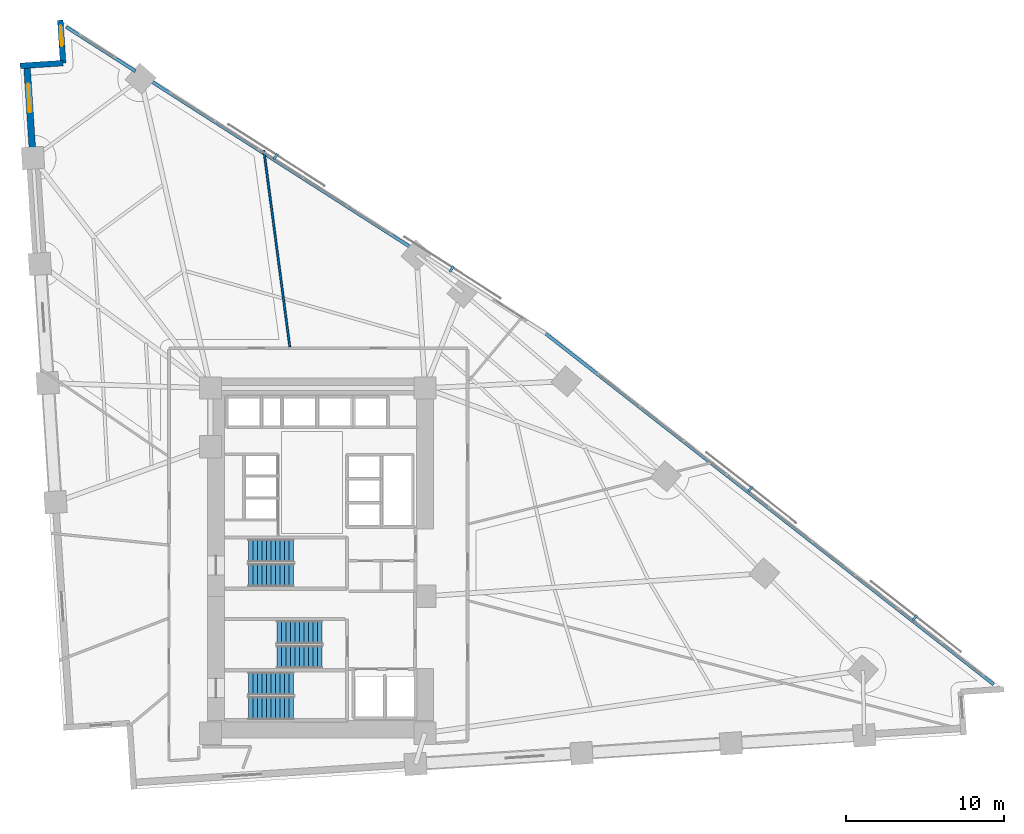
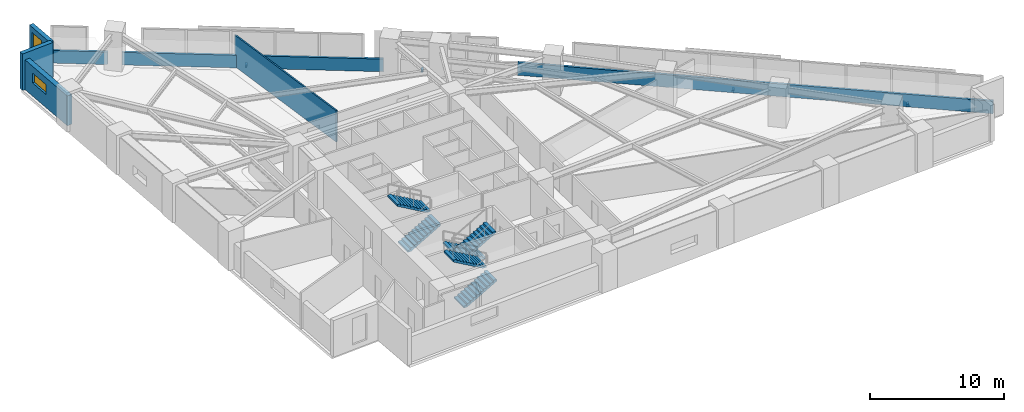
# One storey, part 14 of 16: 7 walls, 6 stair flights, 4 discrete accessories, 2 windows, 2 openings, 3 elements without a shape of their own.
"""IFC4 building model written with IfcOpenShell, lengths in metres."""

import ifcopenshell
import ifcopenshell.guid

model = None  # the IFC model being written
_history = None  # IfcOwnerHistory: only IFC2X3 demands one
_inside = {}  # id of a spatial element -> (the spatial element, [elements in it])
_under = {}  # id of a project, library or spatial element -> (it, [spatial elements below it])
_declared = {}  # id of a project -> (the project, [libraries it declares])
_typed = {}  # id of a type object -> (the type object, [elements of that type])
_made_of = {}  # id of a material, layer set ... -> (it, [elements and type objects made of it])


def new_model(schema):
    """Start an empty IFC model of exactly this schema.

    Asked for "IFC4X3", IfcOpenShell would pick the latest addendum, in which some entities
    have other attributes; the version numbers below select the first issue.
    IFC2X3 requires an IfcOwnerHistory on every rooted entity: one is made here for all.
    """
    global model, _history
    if schema == "IFC4X3":
        model = ifcopenshell.file(schema_version=(4, 3, 0, 0))
    else:
        model = ifcopenshell.file(schema=schema)
    _inside.clear()
    _under.clear()
    _declared.clear()
    _typed.clear()
    _made_of.clear()
    _history = None
    if model.schema == "IFC2X3":
        org = make("IfcOrganization", Name="unknown")
        user = make(
            "IfcPersonAndOrganization",
            ThePerson=make("IfcPerson", FamilyName="unknown"),
            TheOrganization=org,
        )
        app = make(
            "IfcApplication",
            ApplicationDeveloper=org,
            Version="unknown",
            ApplicationFullName="unknown",
            ApplicationIdentifier="unknown",
        )
        _history = make(
            "IfcOwnerHistory",
            OwningUser=user,
            OwningApplication=app,
            ChangeAction="ADDED",
            CreationDate=0,
        )
    return model


def make(cls, **values):
    """One entity of the class cls with the attributes given. An attribute that is None is left unset."""
    return model.create_entity(
        cls, **{name: value for name, value in values.items() if value is not None}
    )


def rooted(cls, **values):
    """An entity with a GlobalId (a new one), such as an element, a storey or a relation."""
    return make(cls, GlobalId=ifcopenshell.guid.new(), OwnerHistory=_history, **values)


def si_unit(unit_type, name, prefix=None):
    """IfcSIUnit, for example si_unit("LENGTHUNIT", "METRE", prefix="MILLI")."""
    return make("IfcSIUnit", UnitType=unit_type, Prefix=prefix, Name=name)


def assignment(units):
    """IfcUnitAssignment: the units of a project."""
    return None if units is None else make("IfcUnitAssignment", Units=units)


def point(xyz):
    """IfcCartesianPoint."""
    return None if xyz is None else make("IfcCartesianPoint", Coordinates=xyz)


def direction(xyz):
    """IfcDirection."""
    return None if xyz is None else make("IfcDirection", DirectionRatios=xyz)


def frame(location, z_axis=None, x_axis=None):
    """IfcAxis2Placement3D, a coordinate frame: its origin and axes. An axis left out is left unset."""
    return make(
        "IfcAxis2Placement3D",
        Location=point(location),
        Axis=direction(z_axis),
        RefDirection=direction(x_axis),
    )


def frame_2d(location, x_axis=None):
    """IfcAxis2Placement2D, a coordinate frame in the plane: its origin and x axis."""
    return make(
        "IfcAxis2Placement2D", Location=point(location), RefDirection=direction(x_axis)
    )


def origin():
    """The frame at (0, 0, 0) with its axes left unset."""
    return frame((0.0, 0.0, 0.0))


def origin_2d():
    """The frame at (0, 0) in the plane with its x axis left unset."""
    return frame_2d((0.0, 0.0))


def place(relative_to, where):
    """IfcLocalPlacement: puts the frame where relative to a parent placement (None: the world)."""
    return make(
        "IfcLocalPlacement", PlacementRelTo=relative_to, RelativePlacement=where
    )


def context(
    kind, dimensions, precision=None, world=None, true_north=None, identifier=None
):
    """IfcGeometricRepresentationContext, for example the 3D "Model" context."""
    return make(
        "IfcGeometricRepresentationContext",
        ContextIdentifier=identifier,
        ContextType=kind,
        CoordinateSpaceDimension=dimensions,
        Precision=precision,
        WorldCoordinateSystem=world,
        TrueNorth=true_north,
    )


def subcontext(parent, identifier, kind, view, scale=None):
    """IfcGeometricRepresentationSubContext, for example "Body" below "Model"."""
    return make(
        "IfcGeometricRepresentationSubContext",
        ContextIdentifier=identifier,
        ContextType=kind,
        ParentContext=parent,
        TargetScale=scale,
        TargetView=view,
    )


def project(units=None, contexts=None):
    """IfcProject with its units and contexts."""
    return rooted(
        "IfcProject",
        Name="project",
        RepresentationContexts=contexts,
        UnitsInContext=assignment(units),
    )


def spatial(cls, under=None, at=None, **own):
    """A site, building, storey or space (cls), placed at a placement, below another one or the project."""
    s = rooted(cls, ObjectPlacement=at, **own)
    if under is not None:
        _under.setdefault(under.id(), (under, []))[1].append(s)
    return s


def polyline(points):
    """IfcPolyline through the points."""
    return make("IfcPolyline", Points=[point(p) for p in points])


def profile(cls, at=None, kind="AREA", **sizes):
    """A parametric profile (cls). Its sizes go by their IFC names, for example OverallWidth=200.0."""
    return make(cls, ProfileType=kind, Position=at, **sizes)


def rectangle(**sizes):
    """IfcRectangleProfileDef."""
    return profile("IfcRectangleProfileDef", **sizes)


def outline(outer, holes=None, kind="AREA"):
    """IfcArbitraryClosedProfileDef: a profile drawn as a closed curve; with holes, ...WithVoids."""
    if holes is None:
        return make("IfcArbitraryClosedProfileDef", ProfileType=kind, OuterCurve=outer)
    return make(
        "IfcArbitraryProfileDefWithVoids",
        ProfileType=kind,
        OuterCurve=outer,
        InnerCurves=holes,
    )


def extrude(swept, where, along, depth):
    """IfcExtrudedAreaSolid: the profile swept, set in the frame where, extruded along a direction by depth."""
    return make(
        "IfcExtrudedAreaSolid",
        SweptArea=swept,
        Position=where,
        ExtrudedDirection=direction(along),
        Depth=depth,
    )


def shape(context_of_items, identifier, shape_type, items):
    """IfcShapeRepresentation: the items that make up one representation, for example the "Body"."""
    return make(
        "IfcShapeRepresentation",
        ContextOfItems=context_of_items,
        RepresentationIdentifier=identifier,
        RepresentationType=shape_type,
        Items=items,
    )


def material(Name=None, Category=None):
    """IfcMaterial."""
    return make("IfcMaterial", Name=Name, Category=Category)


def layer(
    of_material, thickness, ventilated=None, Name=None, Category=None, Priority=None
):
    """IfcMaterialLayer: one layer of a wall or slab, of a material (None: an air gap)."""
    return make(
        "IfcMaterialLayer",
        Material=of_material,
        LayerThickness=thickness,
        IsVentilated=ventilated,
        Name=Name,
        Category=Category,
        Priority=Priority,
    )


def layer_set(layers, Name=None):
    """IfcMaterialLayerSet."""
    return make("IfcMaterialLayerSet", MaterialLayers=layers, LayerSetName=Name)


def made_of(thing, what):
    """Note that an element or type object is made of a material, layer set ...; save() writes the relation."""
    if what is not None:
        _made_of.setdefault(what.id(), (what, []))[1].append(thing)
    return thing


def type_object(cls, material=None, **own):
    """A type object (cls), such as IfcWallType, which elements share."""
    return made_of(rooted(cls, **own), material)


def element(
    cls,
    number,
    at=None,
    inside=None,
    cuts=None,
    type_object=None,
    material=None,
    context=None,
    identifier="Body",
    shape_type=None,
    held_by="IfcProductDefinitionShape",
    body=None,
    shapes=None,
    **own,
):
    """One element of the class cls, such as IfcWall. Its Tag is "e" and its number.

    at: its placement. inside: the storey or other place that contains it. cuts: it is an
    opening in that element (IfcRelVoidsElement). A single representation is given by context,
    identifier, shape_type and body (its items); several are given by shapes. held_by: the class
    of the entity that holds the representations. save() writes the other relations.
    """
    e = rooted(cls, Tag="e%d" % number, ObjectPlacement=at, **own)
    if body is not None:
        shapes = [shape(context, identifier, shape_type, body)]
    if shapes is not None:
        e.Representation = make(held_by, Representations=shapes)
    if inside is not None:
        _inside.setdefault(inside.id(), (inside, []))[1].append(e)
    if cuts is not None:
        rooted(
            "IfcRelVoidsElement", RelatingBuildingElement=cuts, RelatedOpeningElement=e
        )
    if type_object is not None:
        _typed.setdefault(type_object.id(), (type_object, []))[1].append(e)
    return made_of(e, material)


def fill(opening, filler):
    """IfcRelFillsElement: the door or window that sits in an opening."""
    return rooted(
        "IfcRelFillsElement",
        RelatingOpeningElement=opening,
        RelatedBuildingElement=filler,
    )


def aggregate(whole, parts):
    """IfcRelAggregates: a whole, such as a stair, and the parts it consists of."""
    return rooted("IfcRelAggregates", RelatingObject=whole, RelatedObjects=parts)


def save(model, path):
    """Write the relations noted so far, then the file.

    IfcRelAggregates (storeys below a building ...), IfcRelContainedInSpatialStructure (elements
    in a storey), IfcRelDefinesByType, IfcRelAssociatesMaterial and IfcRelDeclares: one each for
    every whole, place, type object, material and project.
    """
    for whole, parts in _under.values():
        aggregate(whole, parts)
    for where, things in _inside.values():
        rooted(
            "IfcRelContainedInSpatialStructure",
            RelatedElements=things,
            RelatingStructure=where,
        )
    for kind, things in _typed.values():
        rooted("IfcRelDefinesByType", RelatedObjects=things, RelatingType=kind)
    for what, things in _made_of.values():
        rooted("IfcRelAssociatesMaterial", RelatedObjects=things, RelatingMaterial=what)
    for by, libraries in _declared.values():
        rooted("IfcRelDeclares", RelatingContext=by, RelatedDefinitions=libraries)
    model.write(path)


model = new_model("IFC4")

# Units and contexts
model_context = context("Model", 3, precision=1e-05, world=origin(), true_north=direction((0.0, 1.0)))
body_context = subcontext(model_context, "Body", "Model", "MODEL_VIEW")
ifc_project = project(units=[si_unit("LENGTHUNIT", "METRE"), si_unit("AREAUNIT", "SQUARE_METRE"), si_unit("VOLUMEUNIT", "CUBIC_METRE"), si_unit("PLANEANGLEUNIT", "RADIAN"), si_unit("MASSUNIT", "GRAM", prefix="KILO")], contexts=[model_context])

# Site, building, storey
site_placement = place(None, origin())
site = spatial("IfcSite", under=ifc_project, at=site_placement, CompositionType="ELEMENT")
building_placement = place(site_placement, origin())
building = spatial("IfcBuilding", under=site, at=building_placement, Name="Narakoshi Arena Tower", CompositionType="ELEMENT")
storey_placement = place(building_placement, frame((0.0, 0.0, 66.89990234375)))
storey = spatial("IfcBuildingStorey", under=building, at=storey_placement, Name="L17", CompositionType="ELEMENT", Elevation=66.89990234375)

# Walls
ifc_material_1 = material(Name="Precast concrete C45/55", Category="concrete")
ifc_layer_1 = layer(ifc_material_1, 0.25)
ifc_layer_set_1 = layer_set([ifc_layer_1], Name="Precast concrete C45/55")
wall_type_1 = type_object("IfcWallType", Name="WL-PARA-250", PredefinedType="PARAPET", material=ifc_layer_set_1)
wall_1_placement = place(storey_placement, frame((121.47607421875, 37.781494140625, 0.0), z_axis=(0.0, 0.0, 1.0), x_axis=(-0.787385636484, 0.61646075257, 0.0)))
element("IfcWall", 1, at=wall_1_placement, inside=storey, type_object=wall_type_1, Name="L17 Hypotenuse Sill Upstand Parapet 1-01", PredefinedType="PARAPET", context=body_context, shape_type="SweptSolid", body=[
    extrude(rectangle(XDim=35.957275390625, YDim=0.199951171875, at=frame_2d((17.978515625, 0.0))), origin(), (0.0, 0.0, 1.0), 1.150146484375),
])
wall_2_placement = place(storey_placement, frame((84.681640625, 65.372314453125, 0.0), z_axis=(0.0, 0.0, 1.0), x_axis=(-0.842418773655, 0.538823356763, 0.0)))
element("IfcWall", 2, at=wall_2_placement, inside=storey, type_object=wall_type_1, Name="L17 Hypotenuse Sill Upstand Parapet 2-02", PredefinedType="PARAPET", context=body_context, shape_type="SweptSolid", body=[
    extrude(rectangle(XDim=19.612060546875, YDim=0.199951171875, at=frame_2d((9.80615234375, 0.0))), origin(), (0.0, 0.0, 1.0), 1.150146484375),
])
wall_3_placement = place(storey_placement, frame((67.2568359375, 76.517578125, 0.0), z_axis=(0.0, 0.0, 1.0), x_axis=(-0.842403631411, 0.538847030042, 0.0)))
element("IfcWall", 3, at=wall_3_placement, inside=storey, type_object=wall_type_1, Name="L17 Hypotenuse Sill Upstand Parapet 2-03", PredefinedType="PARAPET", context=body_context, shape_type="SweptSolid", body=[
    extrude(rectangle(XDim=5.1962890625, YDim=0.199951171875, at=frame_2d((2.59814453125, 0.0))), origin(), (0.0, 0.0, 1.0), 1.150146484375),
])
ifc_material_2 = material(Name="Gypsum plasterboard fire-rated partition")
ifc_layer_2 = layer(ifc_material_2, 0.125)
ifc_layer_set_2 = layer_set([ifc_layer_2], Name="Gypsum plasterboard fire-rated partition")
wall_type_2 = type_object("IfcWallType", Name="WL-PART-125", PredefinedType="PARTITIONING", material=ifc_layer_set_2)
wall_4_placement = place(storey_placement, frame((77.0087890625, 59.114501953125, 0.0), z_axis=(0.0, 0.0, 1.0), x_axis=(-0.130712508062, 0.991420314617, 0.0)))
element("IfcWall", 4, at=wall_4_placement, inside=storey, type_object=wall_type_2, Name="L17 Inter-Room Partition 07-08", PredefinedType="PARTITIONING", context=body_context, shape_type="SweptSolid", body=[
    extrude(rectangle(XDim=12.508544921875, YDim=0.125, at=frame_2d((6.25439453125, 0.0))), origin(), (0.0, 0.0, 1.0), 2.875),
])

# Wall, opening, window
ifc_layer_3 = layer(ifc_material_1, 0.419921875)
ifc_layer_set_3 = layer_set([ifc_layer_3], Name="Precast concrete C45/55")
wall_type_3 = type_object("IfcWallType", Name="WL-POD-420", PredefinedType="SOLIDWALL", material=ifc_layer_set_3)
wall_5_placement = place(storey_placement, frame((60.40185546875, 76.8828125, 0.0), z_axis=(0.0, 0.0, 1.0), x_axis=(0.065402662459, -0.997858953832, 0.0)))
wall_5 = element("IfcWall", 5, at=wall_5_placement, inside=storey, type_object=wall_type_3, Name="L17 Architectural Concrete Facade Wall LEGB-1", PredefinedType="SOLIDWALL", context=body_context, shape_type="SweptSolid", body=[
    extrude(rectangle(XDim=5.8642578125, YDim=0.419921875, at=frame_2d((2.93212890625, 0.0))), origin(), (0.0, 0.0, 1.0), 2.72509765625),
])
opening_1_placement = place(wall_5_placement, frame((1.1708984375, 0.0, 1.199951171875)))
opening_1 = element("IfcOpeningElement", 6, at=opening_1_placement, cuts=wall_5, Name="Opening WN-02", PredefinedType="OPENING", context=body_context, shape_type="SweptSolid", body=[
    extrude(rectangle(XDim=1.800048828125, YDim=0.89990234375, at=frame_2d((0.89990234375, 0.449951171875))), frame((0.0, 0.219970703125, 0.0), z_axis=(0.0, -1.0, 0.0), x_axis=(1.0, 0.0, 0.0)), (0.0, 0.0, 1.0), 0.43994140625),
])
ifc_material_3 = material(Name="Bronze-tinted low-E laminated glass", Category="glass")
window_type_1 = type_object("IfcWindowType", Name="WIN-SLT-18x09", PartitioningType="SINGLE_PANEL", PredefinedType="WINDOW", material=ifc_material_3)
window_1_placement = place(opening_1_placement, origin())
window_1 = element("IfcWindow", 7, at=window_1_placement, inside=storey, type_object=window_type_1, Name="L17 LEGB1 Horizontal Slot Window 1", OverallHeight=0.89990234375, OverallWidth=1.800048828125, PartitioningType="SINGLE_PANEL", PredefinedType="WINDOW", context=body_context, shape_type="SweptSolid", body=[
    extrude(rectangle(XDim=1.800048828125, YDim=0.89990234375, at=frame_2d((0.89990234375, 0.449951171875))), frame((0.0, 0.030029296875, 0.0), z_axis=(0.0, -1.0, 0.0), x_axis=(1.0, 0.0, 0.0)), (0.0, 0.0, 1.0), 0.06005859375),
])
fill(opening_1, window_1)

wall_6_placement = place(storey_placement, frame((62.5107421875, 79.743408203125, 0.0), z_axis=(0.0, 0.0, 1.0), x_axis=(0.065337885661, -0.997863197386, 0.0)))
wall_6 = element("IfcWall", 8, at=wall_6_placement, inside=storey, type_object=wall_type_3, Name="L17 Re-Entrant Corner Notch Wall NTN-1", PredefinedType="SOLIDWALL", context=body_context, shape_type="SweptSolid", body=[
    extrude(rectangle(XDim=2.716552734375, YDim=0.360107421875, at=frame_2d((1.3583984375, 0.0))), origin(), (0.0, 0.0, 1.0), 3.340087890625),
])
opening_2_placement = place(wall_6_placement, frame((0.340087890625, 0.0, 0.449951171875)))
opening_2 = element("IfcOpeningElement", 9, at=opening_2_placement, cuts=wall_6, Name="Opening WN-06", PredefinedType="OPENING", context=body_context, shape_type="SweptSolid", body=[
    extrude(rectangle(XDim=1.300048828125, YDim=2.39990234375, at=frame_2d((0.64990234375, 1.199951171875))), frame((0.0, 0.18994140625, 0.0), z_axis=(0.0, -1.0, 0.0), x_axis=(1.0, 0.0, 0.0)), (0.0, 0.0, 1.0), 0.380126953125),
])
window_type_2 = type_object("IfcWindowType", Name="WIN-NTC-16x24", PartitioningType="SINGLE_PANEL", PredefinedType="WINDOW", material=ifc_material_3)
window_2_placement = place(opening_2_placement, origin())
window_2 = element("IfcWindow", 10, at=window_2_placement, inside=storey, type_object=window_type_2, Name="L17 Corner Notch Window NTN", OverallHeight=2.39990234375, OverallWidth=1.300048828125, PartitioningType="SINGLE_PANEL", PredefinedType="WINDOW", context=body_context, shape_type="SweptSolid", body=[
    extrude(rectangle(XDim=1.300048828125, YDim=2.39990234375, at=frame_2d((0.64990234375, 1.199951171875))), frame((0.0, 0.030029296875, 0.0), z_axis=(0.0, -1.0, 0.0), x_axis=(1.0, 0.0, 0.0)), (0.0, 0.0, 1.0), 0.06005859375),
])
fill(opening_2, window_2)

# Wall
wall_7_placement = place(storey_placement, frame((62.688232421875, 77.03271484375, 0.0), z_axis=(0.0, 0.0, 1.0), x_axis=(-0.99785694905, -0.065433242561, 0.0)))
element("IfcWall", 11, at=wall_7_placement, inside=storey, type_object=wall_type_3, Name="L17 Re-Entrant Corner Notch Wall NTN-2", PredefinedType="SOLIDWALL", context=body_context, shape_type="SweptSolid", body=[
    extrude(rectangle(XDim=2.71630859375, YDim=0.360107421875, at=frame_2d((1.358154296875, 0.0))), origin(), (0.0, 0.0, 1.0), 3.340087890625),
])

# Stair, stair flights
ifc_material_4 = material(Name="Concrete C45/55", Category="concrete")
stair_type = type_object("IfcStairType", Name="STR-CORE-360", PredefinedType="TWO_STRAIGHT_RUN_STAIR", material=ifc_material_4)
stair_1_placement = place(storey_placement, origin())
stair_1 = element("IfcStair", 12, at=stair_1_placement, inside=storey, type_object=stair_type, Name="L17 Core Escape Stair ST1", PredefinedType="TWO_STRAIGHT_RUN_STAIR")
stair_flight_type = type_object("IfcStairFlightType", Name="FLT-145-160", PredefinedType="STRAIGHT", material=ifc_material_1)
stair_flight_1_placement = place(storey_placement, frame((74.39990234375, 36.27490234375, 0.0), z_axis=(0.0, 0.0, 1.0), x_axis=(1.0, 0.0, 0.0)))
stair_flight_1 = element("IfcStairFlight", 13, at=stair_flight_1_placement, type_object=stair_flight_type, Name="ST1 flight 1", NumberOfRisers=11, NumberOfTreads=10, PredefinedType="STRAIGHT", RiserHeight=0.163636364, TreadLength=0.285, context=body_context, shape_type="SweptSolid", body=[
    extrude(outline(polyline([(0.0, 0.0), (0.0, 0.16357421875), (0.284912109375, 0.16357421875), (0.284912109375, 0.327392578125), (0.570068359375, 0.327392578125), (0.570068359375, 0.490966796875), (0.85498046875, 0.490966796875), (0.85498046875, 0.654541015625), (1.139892578125, 0.654541015625), (1.139892578125, 0.818115234375), (1.425048828125, 0.818115234375), (1.425048828125, 0.98193359375), (1.7099609375, 0.98193359375), (1.7099609375, 1.1455078125), (1.9951171875, 1.1455078125), (1.9951171875, 1.30908203125), (2.280029296875, 1.30908203125), (2.280029296875, 1.47265625), (2.56494140625, 1.47265625), (2.56494140625, 1.636474609375), (2.85009765625, 1.636474609375), (2.85009765625, 1.800048828125), (2.85009765625, 1.463623046875), (0.301025390625, 0.0), (0.0, 0.0)])), frame((0.0, 0.72509765625, 0.0), z_axis=(0.0, -1.0, 0.0), x_axis=(1.0, 0.0, 0.0)), (0.0, 0.0, 1.0), 1.449951171875),
])
stair_flight_2_placement = place(storey_placement, frame((77.25, 37.824951171875, 1.800048828125), z_axis=(0.0, 0.0, 1.0), x_axis=(-1.0, 0.0, 0.0)))
stair_flight_2 = element("IfcStairFlight", 14, at=stair_flight_2_placement, type_object=stair_flight_type, Name="ST1 flight 2", NumberOfRisers=11, NumberOfTreads=10, PredefinedType="STRAIGHT", RiserHeight=0.163636364, TreadLength=0.285, context=body_context, shape_type="SweptSolid", body=[
    extrude(outline(polyline([(0.0, 0.0), (0.0, 0.16357421875), (0.284912109375, 0.16357421875), (0.284912109375, 0.327392578125), (0.570068359375, 0.327392578125), (0.570068359375, 0.490966796875), (0.85498046875, 0.490966796875), (0.85498046875, 0.654541015625), (1.139892578125, 0.654541015625), (1.139892578125, 0.818115234375), (1.425048828125, 0.818115234375), (1.425048828125, 0.98193359375), (1.7099609375, 0.98193359375), (1.7099609375, 1.1455078125), (1.9951171875, 1.1455078125), (1.9951171875, 1.30908203125), (2.280029296875, 1.30908203125), (2.280029296875, 1.47265625), (2.56494140625, 1.47265625), (2.56494140625, 1.636474609375), (2.85009765625, 1.636474609375), (2.85009765625, 1.800048828125), (2.85009765625, 1.463623046875), (0.301025390625, 0.0), (0.0, 0.0)])), frame((0.0, 0.72509765625, 0.0), z_axis=(0.0, -1.0, 0.0), x_axis=(1.0, 0.0, 0.0)), (0.0, 0.0, 1.0), 1.449951171875),
])
aggregate(stair_1, [stair_flight_1, stair_flight_2])

stair_2_placement = place(storey_placement, origin())
stair_2 = element("IfcStair", 15, at=stair_2_placement, inside=storey, type_object=stair_type, Name="L17 Core Escape Stair ST2", PredefinedType="TWO_STRAIGHT_RUN_STAIR")
stair_flight_3_placement = place(storey_placement, frame((79.050048828125, 41.074951171875, 0.0), z_axis=(0.0, 0.0, 1.0), x_axis=(-1.0, 0.0, 0.0)))
stair_flight_3 = element("IfcStairFlight", 16, at=stair_flight_3_placement, type_object=stair_flight_type, Name="ST2 flight 1", NumberOfRisers=11, NumberOfTreads=10, PredefinedType="STRAIGHT", RiserHeight=0.163636364, TreadLength=0.285, context=body_context, shape_type="SweptSolid", body=[
    extrude(outline(polyline([(0.0, 0.0), (0.0, 0.16357421875), (0.284912109375, 0.16357421875), (0.284912109375, 0.327392578125), (0.570068359375, 0.327392578125), (0.570068359375, 0.490966796875), (0.85498046875, 0.490966796875), (0.85498046875, 0.654541015625), (1.139892578125, 0.654541015625), (1.139892578125, 0.818115234375), (1.425048828125, 0.818115234375), (1.425048828125, 0.98193359375), (1.7099609375, 0.98193359375), (1.7099609375, 1.1455078125), (1.9951171875, 1.1455078125), (1.9951171875, 1.30908203125), (2.280029296875, 1.30908203125), (2.280029296875, 1.47265625), (2.56494140625, 1.47265625), (2.56494140625, 1.636474609375), (2.85009765625, 1.636474609375), (2.85009765625, 1.800048828125), (2.85009765625, 1.463623046875), (0.301025390625, 0.0), (0.0, 0.0)])), frame((0.0, 0.72509765625, 0.0), z_axis=(0.0, -1.0, 0.0), x_axis=(1.0, 0.0, 0.0)), (0.0, 0.0, 1.0), 1.449951171875),
])
stair_flight_4_placement = place(storey_placement, frame((76.199951171875, 39.52490234375, 1.800048828125), z_axis=(0.0, 0.0, 1.0), x_axis=(1.0, 0.0, 0.0)))
stair_flight_4 = element("IfcStairFlight", 17, at=stair_flight_4_placement, type_object=stair_flight_type, Name="ST2 flight 2", NumberOfRisers=11, NumberOfTreads=10, PredefinedType="STRAIGHT", RiserHeight=0.163636364, TreadLength=0.285, context=body_context, shape_type="SweptSolid", body=[
    extrude(outline(polyline([(0.0, 0.0), (0.0, 0.16357421875), (0.284912109375, 0.16357421875), (0.284912109375, 0.327392578125), (0.570068359375, 0.327392578125), (0.570068359375, 0.490966796875), (0.85498046875, 0.490966796875), (0.85498046875, 0.654541015625), (1.139892578125, 0.654541015625), (1.139892578125, 0.818115234375), (1.425048828125, 0.818115234375), (1.425048828125, 0.98193359375), (1.7099609375, 0.98193359375), (1.7099609375, 1.1455078125), (1.9951171875, 1.1455078125), (1.9951171875, 1.30908203125), (2.280029296875, 1.30908203125), (2.280029296875, 1.47265625), (2.56494140625, 1.47265625), (2.56494140625, 1.636474609375), (2.85009765625, 1.636474609375), (2.85009765625, 1.800048828125), (2.85009765625, 1.463623046875), (0.301025390625, 0.0), (0.0, 0.0)])), frame((0.0, 0.72509765625, 0.0), z_axis=(0.0, -1.0, 0.0), x_axis=(1.0, 0.0, 0.0)), (0.0, 0.0, 1.0), 1.449951171875),
])
aggregate(stair_2, [stair_flight_3, stair_flight_4])

stair_3_placement = place(storey_placement, origin())
stair_3 = element("IfcStair", 18, at=stair_3_placement, inside=storey, type_object=stair_type, Name="L17 Core Escape Stair ST3", PredefinedType="TWO_STRAIGHT_RUN_STAIR")
stair_flight_5_placement = place(storey_placement, frame((74.39990234375, 44.675048828125, 0.0), z_axis=(0.0, 0.0, 1.0), x_axis=(1.0, 0.0, 0.0)))
stair_flight_5 = element("IfcStairFlight", 19, at=stair_flight_5_placement, type_object=stair_flight_type, Name="ST3 flight 1", NumberOfRisers=11, NumberOfTreads=10, PredefinedType="STRAIGHT", RiserHeight=0.163636364, TreadLength=0.285, context=body_context, shape_type="SweptSolid", body=[
    extrude(outline(polyline([(0.0, 0.0), (0.0, 0.16357421875), (0.284912109375, 0.16357421875), (0.284912109375, 0.327392578125), (0.570068359375, 0.327392578125), (0.570068359375, 0.490966796875), (0.85498046875, 0.490966796875), (0.85498046875, 0.654541015625), (1.139892578125, 0.654541015625), (1.139892578125, 0.818115234375), (1.425048828125, 0.818115234375), (1.425048828125, 0.98193359375), (1.7099609375, 0.98193359375), (1.7099609375, 1.1455078125), (1.9951171875, 1.1455078125), (1.9951171875, 1.30908203125), (2.280029296875, 1.30908203125), (2.280029296875, 1.47265625), (2.56494140625, 1.47265625), (2.56494140625, 1.636474609375), (2.85009765625, 1.636474609375), (2.85009765625, 1.800048828125), (2.85009765625, 1.463623046875), (0.301025390625, 0.0), (0.0, 0.0)])), frame((0.0, 0.72509765625, 0.0), z_axis=(0.0, -1.0, 0.0), x_axis=(1.0, 0.0, 0.0)), (0.0, 0.0, 1.0), 1.449951171875),
])
stair_flight_6_placement = place(storey_placement, frame((77.25, 46.22509765625, 1.800048828125), z_axis=(0.0, 0.0, 1.0), x_axis=(-1.0, 0.0, 0.0)))
stair_flight_6 = element("IfcStairFlight", 20, at=stair_flight_6_placement, type_object=stair_flight_type, Name="ST3 flight 2", NumberOfRisers=11, NumberOfTreads=10, PredefinedType="STRAIGHT", RiserHeight=0.163636364, TreadLength=0.285, context=body_context, shape_type="SweptSolid", body=[
    extrude(outline(polyline([(0.0, 0.0), (0.0, 0.16357421875), (0.284912109375, 0.16357421875), (0.284912109375, 0.327392578125), (0.570068359375, 0.327392578125), (0.570068359375, 0.490966796875), (0.85498046875, 0.490966796875), (0.85498046875, 0.654541015625), (1.139892578125, 0.654541015625), (1.139892578125, 0.818115234375), (1.425048828125, 0.818115234375), (1.425048828125, 0.98193359375), (1.7099609375, 0.98193359375), (1.7099609375, 1.1455078125), (1.9951171875, 1.1455078125), (1.9951171875, 1.30908203125), (2.280029296875, 1.30908203125), (2.280029296875, 1.47265625), (2.56494140625, 1.47265625), (2.56494140625, 1.636474609375), (2.85009765625, 1.636474609375), (2.85009765625, 1.800048828125), (2.85009765625, 1.463623046875), (0.301025390625, 0.0), (0.0, 0.0)])), frame((0.0, 0.72509765625, 0.0), z_axis=(0.0, -1.0, 0.0), x_axis=(1.0, 0.0, 0.0)), (0.0, 0.0, 1.0), 1.449951171875),
])
aggregate(stair_3, [stair_flight_5, stair_flight_6])

# Discrete accessories
ifc_material_5 = material(Name="Structural steel S355J2", Category="steel")
discrete_accessory_type = type_object("IfcDiscreteAccessoryType", Name="ACC-BRK-SCR", PredefinedType="BRACKET", material=ifc_material_5)
for number, where, z_axis, x_axis, name in (
    (21, (116.497314453125, 41.984375, -0.080078125), (0.0, 0.0, 1.0), (-0.787387121413, 0.616458855912, 0.0), "L17 Solar Screen Support Bracket SHD-L17-SCR1-1"),
    (22, (106.103759765625, 50.12158203125, -0.080078125), (0.0, 0.0, 1.0), (-0.787387121413, 0.616458855912, 0.0), "L17 Solar Screen Support Bracket SHD-L17-SCR1-2"),
    (23, (87.239990234375, 64.020751953125, -0.080078125), (0.0, 0.0, 1.0), (-0.842414781658, 0.538829597966, 0.0), "L17 Solar Screen Support Bracket SHD-L17-SCR2-1"),
    (24, (76.1201171875, 71.13330078125, -0.080078125), (0.0, 0.0, 1.0), (-0.842414781658, 0.538829597966, 0.0), "L17 Solar Screen Support Bracket SHD-L17-SCR2-2"),
):
    element("IfcDiscreteAccessory", number, at=place(storey_placement, frame(where, z_axis=z_axis, x_axis=x_axis)), inside=storey, type_object=discrete_accessory_type, Name=name, PredefinedType="BRACKET", context=body_context, shape_type="SweptSolid", body=[
        extrude(rectangle(XDim=0.159912109375, YDim=0.425048828125, at=origin_2d()), origin(), (0.0, 0.0, 1.0), 0.199951171875),
    ])

save(model, "model.ifc")
